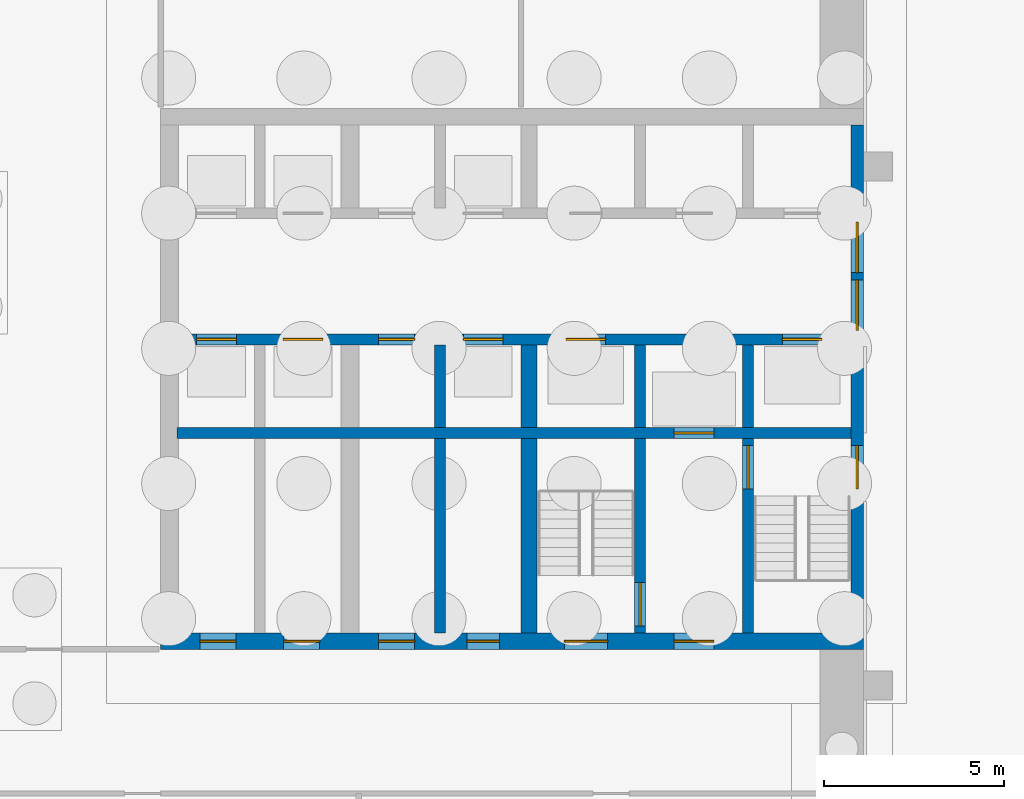
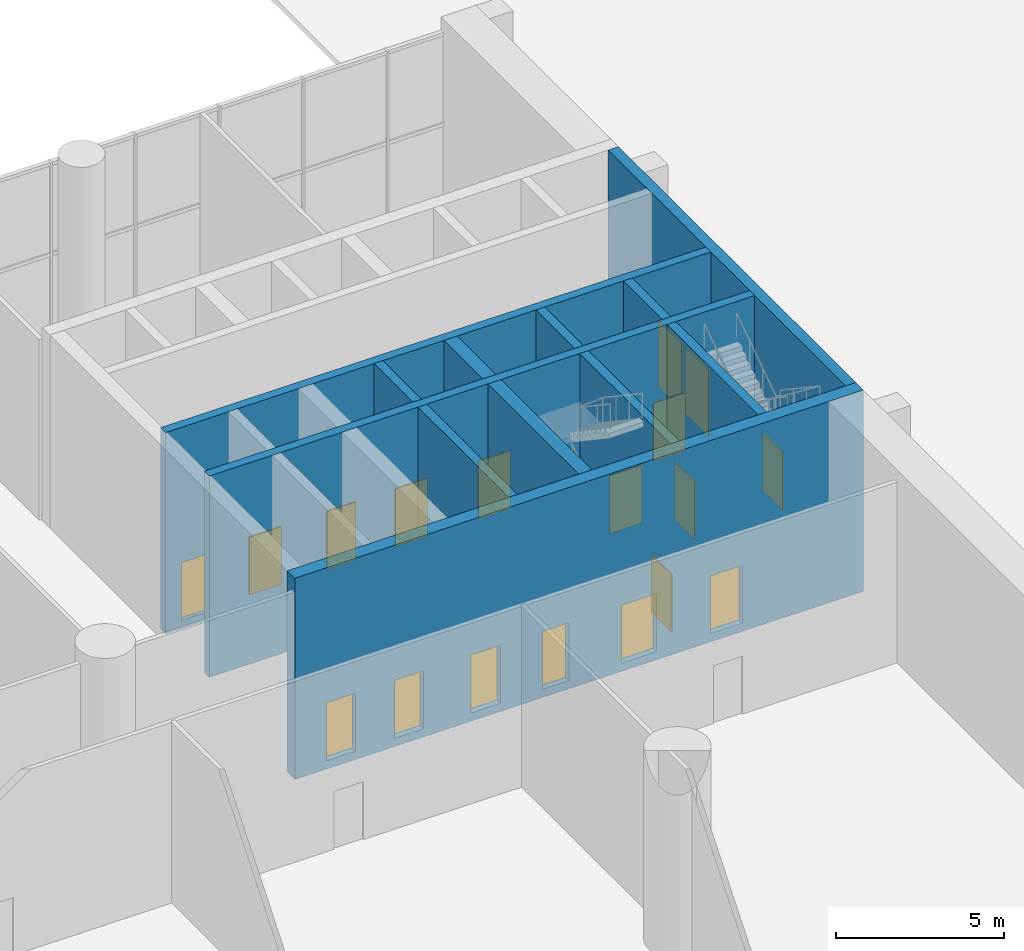
# One storey, part 18 of 26: 18 doors, 12 walls, 18 openings.
"""IFC4 building model written with IfcOpenShell, lengths in metres."""

from ifc_helpers import new_model, si_unit, direction, frame, frame_2d, origin, place, context, subcontext, project, spatial, rectangle, extrude, material, layer, layer_set, type_object, element, fill, save


model = new_model("IFC4")

# Units and contexts
model_context = context("Model", 3, precision=1e-05, world=origin(), true_north=direction((0.0, 1.0)))
body_context = subcontext(model_context, "Body", "Model", "MODEL_VIEW")
ifc_project = project(units=[si_unit("LENGTHUNIT", "METRE"), si_unit("AREAUNIT", "SQUARE_METRE"), si_unit("VOLUMEUNIT", "CUBIC_METRE"), si_unit("PLANEANGLEUNIT", "RADIAN"), si_unit("MASSUNIT", "GRAM", prefix="KILO")], contexts=[model_context])

# Site, building, storey
site_placement = place(None, origin())
site = spatial("IfcSite", under=ifc_project, at=site_placement, CompositionType="ELEMENT")
building_placement = place(site_placement, origin())
building = spatial("IfcBuilding", under=site, at=building_placement, Name="Torana Hotel and Residences", CompositionType="ELEMENT")
storey_placement = place(building_placement, origin())
storey = spatial("IfcBuildingStorey", under=building, at=storey_placement, Name="L00", CompositionType="ELEMENT", Elevation=0.0)

# Wall, openings, doors
ifc_material_1 = material(Name="Concrete C80/95", Category="concrete")
ifc_layer_1 = layer(ifc_material_1, 0.300048828125)
ifc_layer_set_1 = layer_set([ifc_layer_1], Name="CORE WALL 300 C80/95")
wall_type_1 = type_object("IfcWallType", Name="CORE WALL 300 C80/95", PredefinedType="SHEAR", material=ifc_layer_set_1)
wall_1_placement = place(storey_placement, frame((-29.050048828125, -6.39990234375, -0.300048828125), z_axis=(0.0, 0.0, 1.0), x_axis=(1.0, 0.0, 0.0)))
wall_1 = element("IfcWall", 1, at=wall_1_placement, inside=storey, type_object=wall_type_1, Name="Core wall W row-S", PredefinedType="SHEAR", context=body_context, shape_type="SweptSolid", body=[
    extrude(rectangle(XDim=18.699951171875, YDim=0.300048828125, at=frame_2d((9.35009765625, 0.0))), origin(), (0.0, 0.0, 1.0), 7.300048828125),
])
opening_1_placement = place(wall_1_placement, frame((2.949951171875, 0.0, 0.300048828125)))
opening_1 = element("IfcOpeningElement", 2, at=opening_1_placement, cuts=wall_1, Name="Opening LD", PredefinedType="OPENING", context=body_context, shape_type="SweptSolid", body=[
    extrude(rectangle(XDim=1.10009765625, YDim=2.10009765625, at=frame_2d((0.550048828125, 1.050048828125))), frame((0.0, 0.159912109375, 0.0), z_axis=(0.0, -1.0, 0.0), x_axis=(1.0, 0.0, 0.0)), (0.0, 0.0, 1.0), 0.320068359375),
])
opening_2_placement = place(wall_1_placement, frame((0.550048828125, 0.0, 0.300048828125)))
opening_2 = element("IfcOpeningElement", 3, at=opening_2_placement, cuts=wall_1, Name="Opening LD", PredefinedType="OPENING", context=body_context, shape_type="SweptSolid", body=[
    extrude(rectangle(XDim=1.10009765625, YDim=2.10009765625, at=frame_2d((0.550048828125, 1.050048828125))), frame((0.0, 0.159912109375, 0.0), z_axis=(0.0, -1.0, 0.0), x_axis=(1.0, 0.0, 0.0)), (0.0, 0.0, 1.0), 0.320068359375),
])
opening_3_placement = place(wall_1_placement, frame((7.949951171875, 0.0, 0.300048828125)))
opening_3 = element("IfcOpeningElement", 4, at=opening_3_placement, cuts=wall_1, Name="Opening LD", PredefinedType="OPENING", context=body_context, shape_type="SweptSolid", body=[
    extrude(rectangle(XDim=1.10009765625, YDim=2.10009765625, at=frame_2d((0.550048828125, 1.050048828125))), frame((0.0, 0.159912109375, 0.0), z_axis=(0.0, -1.0, 0.0), x_axis=(1.0, 0.0, 0.0)), (0.0, 0.0, 1.0), 0.320068359375),
])
opening_4_placement = place(wall_1_placement, frame((16.800048828125, 0.0, 0.300048828125)))
opening_4 = element("IfcOpeningElement", 5, at=opening_4_placement, cuts=wall_1, Name="Opening LD", PredefinedType="OPENING", context=body_context, shape_type="SweptSolid", body=[
    extrude(rectangle(XDim=1.10009765625, YDim=2.10009765625, at=frame_2d((0.550048828125, 1.050048828125))), frame((0.0, 0.159912109375, 0.0), z_axis=(0.0, -1.0, 0.0), x_axis=(1.0, 0.0, 0.0)), (0.0, 0.0, 1.0), 0.320068359375),
])
opening_5_placement = place(wall_1_placement, frame((10.800048828125, 0.0, 0.300048828125)))
opening_5 = element("IfcOpeningElement", 6, at=opening_5_placement, cuts=wall_1, Name="Opening LD", PredefinedType="OPENING", context=body_context, shape_type="SweptSolid", body=[
    extrude(rectangle(XDim=1.10009765625, YDim=2.10009765625, at=frame_2d((0.550048828125, 1.050048828125))), frame((0.0, 0.159912109375, 0.0), z_axis=(0.0, -1.0, 0.0), x_axis=(1.0, 0.0, 0.0)), (0.0, 0.0, 1.0), 0.320068359375),
])
opening_6_placement = place(wall_1_placement, frame((5.60009765625, 0.0, 0.300048828125)))
opening_6 = element("IfcOpeningElement", 7, at=opening_6_placement, cuts=wall_1, Name="Opening L00-14", PredefinedType="OPENING", context=body_context, shape_type="SweptSolid", body=[
    extrude(rectangle(XDim=1.0, YDim=2.10009765625, at=frame_2d((0.5, 1.050048828125))), frame((0.0, 0.159912109375, 0.0), z_axis=(0.0, -1.0, 0.0), x_axis=(1.0, 0.0, 0.0)), (0.0, 0.0, 1.0), 0.320068359375),
])
ifc_material_2 = material(Name="Steel S235", Category="steel")
door_type_1 = type_object("IfcDoorType", Name="CORE ROOM FIRE DOOR D14 1000x2100", OperationType="SINGLE_SWING_LEFT", PredefinedType="DOOR", material=ifc_material_2)
door_1_placement = place(opening_6_placement, frame((0.5, 0.0, 0.0), z_axis=(0.0, 0.0, 1.0), x_axis=(-1.0, 0.0, 0.0)))
door_1 = element("IfcDoor", 8, at=door_1_placement, inside=storey, type_object=door_type_1, Name="Free-M2 door L00", OperationType="SINGLE_SWING_LEFT", OverallHeight=2.10009765625, OverallWidth=1.0, PredefinedType="DOOR", context=body_context, shape_type="SweptSolid", body=[
    extrude(rectangle(XDim=1.0, YDim=2.10009765625, at=frame_2d((0.0, 1.050048828125))), frame((0.0, -0.02490234375, 0.0), z_axis=(0.0, 1.0, 0.0), x_axis=(-1.0, 0.0, 0.0)), (0.0, 0.0, 1.0), 0.050048828125),
])
fill(opening_6, door_1)
ifc_material_3 = material(Name="Stainless steel 316", Category="steel")
door_type_2 = type_object("IfcDoorType", Name="LIFT LANDING DOOR LD 1100x2100", OperationType="DOUBLE_DOOR_SLIDING", PredefinedType="USERDEFINED", material=ifc_material_3)
door_2_placement = place(opening_1_placement, origin())
door_2 = element("IfcDoor", 9, at=door_2_placement, inside=storey, type_object=door_type_2, Name="Lift landing door L3 L00", ObjectType="LIFT LANDING DOOR", OperationType="DOUBLE_DOOR_SLIDING", OverallHeight=2.10009765625, OverallWidth=1.10009765625, PredefinedType="USERDEFINED", context=body_context, shape_type="SweptSolid", body=[
    extrude(rectangle(XDim=1.10009765625, YDim=2.10009765625, at=frame_2d((0.550048828125, 1.050048828125))), frame((0.0, 0.02490234375, 0.0), z_axis=(0.0, -1.0, 0.0), x_axis=(1.0, 0.0, 0.0)), (0.0, 0.0, 1.0), 0.050048828125),
])
fill(opening_1, door_2)
door_3_placement = place(opening_2_placement, origin())
door_3 = element("IfcDoor", 10, at=door_3_placement, inside=storey, type_object=door_type_2, Name="Lift landing door L4 L00", ObjectType="LIFT LANDING DOOR", OperationType="DOUBLE_DOOR_SLIDING", OverallHeight=2.10009765625, OverallWidth=1.10009765625, PredefinedType="USERDEFINED", context=body_context, shape_type="SweptSolid", body=[
    extrude(rectangle(XDim=1.10009765625, YDim=2.10009765625, at=frame_2d((0.550048828125, 1.050048828125))), frame((0.0, 0.02490234375, 0.0), z_axis=(0.0, -1.0, 0.0), x_axis=(1.0, 0.0, 0.0)), (0.0, 0.0, 1.0), 0.050048828125),
])
fill(opening_2, door_3)
door_4_placement = place(opening_3_placement, origin())
door_4 = element("IfcDoor", 11, at=door_4_placement, inside=storey, type_object=door_type_2, Name="Lift landing door S3 L00", ObjectType="LIFT LANDING DOOR", OperationType="DOUBLE_DOOR_SLIDING", OverallHeight=2.10009765625, OverallWidth=1.10009765625, PredefinedType="USERDEFINED", context=body_context, shape_type="SweptSolid", body=[
    extrude(rectangle(XDim=1.10009765625, YDim=2.10009765625, at=frame_2d((0.550048828125, 1.050048828125))), frame((0.0, 0.02490234375, 0.0), z_axis=(0.0, -1.0, 0.0), x_axis=(1.0, 0.0, 0.0)), (0.0, 0.0, 1.0), 0.050048828125),
])
fill(opening_3, door_4)
door_5_placement = place(opening_4_placement, origin())
door_5 = element("IfcDoor", 12, at=door_5_placement, inside=storey, type_object=door_type_2, Name="Lift landing door X1 L00", ObjectType="LIFT LANDING DOOR", OperationType="DOUBLE_DOOR_SLIDING", OverallHeight=2.10009765625, OverallWidth=1.10009765625, PredefinedType="USERDEFINED", context=body_context, shape_type="SweptSolid", body=[
    extrude(rectangle(XDim=1.10009765625, YDim=2.10009765625, at=frame_2d((0.550048828125, 1.050048828125))), frame((0.0, 0.02490234375, 0.0), z_axis=(0.0, -1.0, 0.0), x_axis=(1.0, 0.0, 0.0)), (0.0, 0.0, 1.0), 0.050048828125),
])
fill(opening_4, door_5)
door_6_placement = place(opening_5_placement, origin())
door_6 = element("IfcDoor", 13, at=door_6_placement, inside=storey, type_object=door_type_2, Name="Lift landing door SV1 L00", ObjectType="LIFT LANDING DOOR", OperationType="DOUBLE_DOOR_SLIDING", OverallHeight=2.10009765625, OverallWidth=1.10009765625, PredefinedType="USERDEFINED", context=body_context, shape_type="SweptSolid", body=[
    extrude(rectangle(XDim=1.10009765625, YDim=2.10009765625, at=frame_2d((0.550048828125, 1.050048828125))), frame((0.0, 0.02490234375, 0.0), z_axis=(0.0, -1.0, 0.0), x_axis=(1.0, 0.0, 0.0)), (0.0, 0.0, 1.0), 0.050048828125),
])
fill(opening_5, door_6)

# Wall, opening, door
wall_2_placement = place(storey_placement, frame((-29.050048828125, -9.0, -0.300048828125), z_axis=(0.0, 0.0, 1.0), x_axis=(1.0, 0.0, 0.0)))
wall_2 = element("IfcWall", 14, at=wall_2_placement, inside=storey, type_object=wall_type_1, Name="Core wall W band", PredefinedType="SHEAR", context=body_context, shape_type="SweptSolid", body=[
    extrude(rectangle(XDim=18.699951171875, YDim=0.300048828125, at=frame_2d((9.35009765625, 0.0))), origin(), (0.0, 0.0, 1.0), 7.300048828125),
])
opening_7_placement = place(wall_2_placement, frame((13.800048828125, 0.0, 0.300048828125)))
opening_7 = element("IfcOpeningElement", 15, at=opening_7_placement, cuts=wall_2, Name="Opening LD", PredefinedType="OPENING", context=body_context, shape_type="SweptSolid", body=[
    extrude(rectangle(XDim=1.10009765625, YDim=2.10009765625, at=frame_2d((0.550048828125, 1.050048828125))), frame((0.0, 0.159912109375, 0.0), z_axis=(0.0, -1.0, 0.0), x_axis=(1.0, 0.0, 0.0)), (0.0, 0.0, 1.0), 0.320068359375),
])
door_7_placement = place(opening_7_placement, origin())
door_7 = element("IfcDoor", 16, at=door_7_placement, inside=storey, type_object=door_type_2, Name="Lift landing door FF1 L00", ObjectType="LIFT LANDING DOOR", OperationType="DOUBLE_DOOR_SLIDING", OverallHeight=2.10009765625, OverallWidth=1.10009765625, PredefinedType="USERDEFINED", context=body_context, shape_type="SweptSolid", body=[
    extrude(rectangle(XDim=1.10009765625, YDim=2.10009765625, at=frame_2d((0.550048828125, 1.050048828125))), frame((0.0, 0.02490234375, 0.0), z_axis=(0.0, -1.0, 0.0), x_axis=(1.0, 0.0, 0.0)), (0.0, 0.0, 1.0), 0.050048828125),
])
fill(opening_7, door_7)

# Wall
wall_3_placement = place(storey_placement, frame((-13.199951171875, -8.85009765625, -0.300048828125), z_axis=(0.0, 0.0, 1.0), x_axis=(0.0, 1.0, 0.0)))
element("IfcWall", 17, at=wall_3_placement, inside=storey, type_object=wall_type_1, Name="Core wall W x3.05-S", PredefinedType="SHEAR", context=body_context, shape_type="SweptSolid", body=[
    extrude(rectangle(XDim=2.300048828125, YDim=0.300048828125, at=frame_2d((1.14990234375, 0.0))), origin(), (0.0, 0.0, 1.0), 7.300048828125),
])

# Wall, opening, door
wall_4_placement = place(storey_placement, frame((-13.199951171875, -14.550048828125, -0.300048828125), z_axis=(0.0, 0.0, 1.0), x_axis=(0.0, 1.0, 0.0)))
wall_4 = element("IfcWall", 18, at=wall_4_placement, inside=storey, type_object=wall_type_1, Name="Core wall W x3.05-band", PredefinedType="SHEAR", context=body_context, shape_type="SweptSolid", body=[
    extrude(rectangle(XDim=5.400146484375, YDim=0.300048828125, at=frame_2d((2.7001953125, 0.0))), origin(), (0.0, 0.0, 1.0), 7.300048828125),
])
opening_8_placement = place(wall_4_placement, frame((4.0, 0.0, 0.300048828125)))
opening_8 = element("IfcOpeningElement", 19, at=opening_8_placement, cuts=wall_4, Name="Opening L00-15", PredefinedType="OPENING", context=body_context, shape_type="SweptSolid", body=[
    extrude(rectangle(XDim=1.199951171875, YDim=2.10009765625, at=frame_2d((0.60009765625, 1.050048828125))), frame((0.0, 0.159912109375, 0.0), z_axis=(0.0, -1.0, 0.0), x_axis=(1.0, 0.0, 0.0)), (0.0, 0.0, 1.0), 0.320068359375),
])
ifc_material_4 = material(Name="Steel S235", Category="steel")
door_type_3 = type_object("IfcDoorType", Name="STAIR FIRE DOOR D3 1200x2100", OperationType="SINGLE_SWING_LEFT", PredefinedType="DOOR", material=ifc_material_4)
door_8_placement = place(opening_8_placement, frame((0.60009765625, 0.0, 0.0), z_axis=(0.0, 0.0, 1.0), x_axis=(-1.0, 0.0, 0.0)))
door_8 = element("IfcDoor", 20, at=door_8_placement, inside=storey, type_object=door_type_3, Name="Stair-A-lobby door L00", OperationType="SINGLE_SWING_RIGHT", OverallHeight=2.10009765625, OverallWidth=1.199951171875, PredefinedType="DOOR", context=body_context, shape_type="SweptSolid", body=[
    extrude(rectangle(XDim=1.199951171875, YDim=2.10009765625, at=frame_2d((0.0, 1.050048828125))), frame((0.0, -0.02490234375, 0.0), z_axis=(0.0, 1.0, 0.0), x_axis=(-1.0, 0.0, 0.0)), (0.0, 0.0, 1.0), 0.050048828125),
])
fill(opening_8, door_8)

# Wall
wall_5_placement = place(storey_placement, frame((-16.199951171875, -8.85009765625, -0.300048828125), z_axis=(0.0, 0.0, 1.0), x_axis=(0.0, 1.0, 0.0)))
element("IfcWall", 21, at=wall_5_placement, inside=storey, type_object=wall_type_1, Name="Core wall W x6.05-S", PredefinedType="SHEAR", context=body_context, shape_type="SweptSolid", body=[
    extrude(rectangle(XDim=2.300048828125, YDim=0.300048828125, at=frame_2d((1.14990234375, 0.0))), origin(), (0.0, 0.0, 1.0), 7.300048828125),
])

# Wall, opening, door
wall_6_placement = place(storey_placement, frame((-16.199951171875, -14.550048828125, -0.300048828125), z_axis=(0.0, 0.0, 1.0), x_axis=(0.0, 1.0, 0.0)))
wall_6 = element("IfcWall", 22, at=wall_6_placement, inside=storey, type_object=wall_type_1, Name="Core wall W x6.05-band", PredefinedType="SHEAR", context=body_context, shape_type="SweptSolid", body=[
    extrude(rectangle(XDim=5.400146484375, YDim=0.300048828125, at=frame_2d((2.7001953125, 0.0))), origin(), (0.0, 0.0, 1.0), 7.300048828125),
])
opening_9_placement = place(wall_6_placement, frame((0.199951171875, 0.0, 0.300048828125)))
opening_9 = element("IfcOpeningElement", 23, at=opening_9_placement, cuts=wall_6, Name="Opening L00-16", PredefinedType="OPENING", context=body_context, shape_type="SweptSolid", body=[
    extrude(rectangle(XDim=1.199951171875, YDim=2.10009765625, at=frame_2d((0.60009765625, 1.050048828125))), frame((0.0, 0.159912109375, 0.0), z_axis=(0.0, -1.0, 0.0), x_axis=(1.0, 0.0, 0.0)), (0.0, 0.0, 1.0), 0.320068359375),
])
door_9_placement = place(opening_9_placement, origin())
door_9 = element("IfcDoor", 24, at=door_9_placement, inside=storey, type_object=door_type_3, Name="Stair-B-lobby door L00", OperationType="SINGLE_SWING_RIGHT", OverallHeight=2.10009765625, OverallWidth=1.199951171875, PredefinedType="DOOR", context=body_context, shape_type="SweptSolid", body=[
    extrude(rectangle(XDim=1.199951171875, YDim=2.10009765625, at=frame_2d((0.60009765625, 1.050048828125))), frame((0.0, 0.02490234375, 0.0), z_axis=(0.0, -1.0, 0.0), x_axis=(1.0, 0.0, 0.0)), (0.0, 0.0, 1.0), 0.050048828125),
])
fill(opening_9, door_9)

# Walls
wall_7_placement = place(storey_placement, frame((-21.75, -8.85009765625, -0.300048828125), z_axis=(0.0, 0.0, 1.0), x_axis=(0.0, 1.0, 0.0)))
element("IfcWall", 25, at=wall_7_placement, inside=storey, type_object=wall_type_1, Name="Core wall W mm-S", PredefinedType="SHEAR", context=body_context, shape_type="SweptSolid", body=[
    extrude(rectangle(XDim=2.300048828125, YDim=0.300048828125, at=frame_2d((1.14990234375, 0.0))), origin(), (0.0, 0.0, 1.0), 7.300048828125),
])
wall_8_placement = place(storey_placement, frame((-21.75, -14.550048828125, -0.300048828125), z_axis=(0.0, 0.0, 1.0), x_axis=(0.0, 1.0, 0.0)))
element("IfcWall", 26, at=wall_8_placement, inside=storey, type_object=wall_type_1, Name="Core wall W mm-band", PredefinedType="SHEAR", context=body_context, shape_type="SweptSolid", body=[
    extrude(rectangle(XDim=5.400146484375, YDim=0.300048828125, at=frame_2d((2.7001953125, 0.0))), origin(), (0.0, 0.0, 1.0), 7.300048828125),
])

# Wall, openings, doors
ifc_material_5 = material(Name="Concrete C80/95", Category="concrete")
ifc_layer_2 = layer(ifc_material_5, 0.35009765625)
ifc_layer_set_2 = layer_set([ifc_layer_2], Name="CORE WALL 350 C80/95")
wall_type_2 = type_object("IfcWallType", Name="CORE WALL 350 C80/95", PredefinedType="SHEAR", material=ifc_layer_set_2)
wall_9_placement = place(storey_placement, frame((-10.175048828125, -14.550048828125, -0.300048828125), z_axis=(0.0, 0.0, 1.0), x_axis=(0.0, 1.0, 0.0)))
wall_9 = element("IfcWall", 27, at=wall_9_placement, inside=storey, type_object=wall_type_2, Name="Core wall W arch", PredefinedType="SHEAR", context=body_context, shape_type="SweptSolid", body=[
    extrude(rectangle(XDim=14.10009765625, YDim=0.35009765625, at=frame_2d((7.050048828125, 0.0))), origin(), (0.0, 0.0, 1.0), 7.300048828125),
])
opening_10_placement = place(wall_9_placement, frame((8.39990234375, 0.0, 0.300048828125)))
opening_10 = element("IfcOpeningElement", 28, at=opening_10_placement, cuts=wall_9, Name="Opening L00-01", PredefinedType="OPENING", context=body_context, shape_type="SweptSolid", body=[
    extrude(rectangle(XDim=1.39990234375, YDim=2.39990234375, at=frame_2d((0.699951171875, 1.199951171875))), frame((0.0, 0.18505859375, 0.0), z_axis=(0.0, -1.0, 0.0), x_axis=(1.0, 0.0, 0.0)), (0.0, 0.0, 1.0), 0.3701171875),
])
opening_11_placement = place(wall_9_placement, frame((10.0, 0.0, 0.300048828125)))
opening_11 = element("IfcOpeningElement", 29, at=opening_11_placement, cuts=wall_9, Name="Opening L00-02", PredefinedType="OPENING", context=body_context, shape_type="SweptSolid", body=[
    extrude(rectangle(XDim=1.39990234375, YDim=2.39990234375, at=frame_2d((0.699951171875, 1.199951171875))), frame((0.0, 0.18505859375, 0.0), z_axis=(0.0, -1.0, 0.0), x_axis=(1.0, 0.0, 0.0)), (0.0, 0.0, 1.0), 0.3701171875),
])
opening_12_placement = place(wall_9_placement, frame((4.0, 0.0, 0.300048828125)))
opening_12 = element("IfcOpeningElement", 30, at=opening_12_placement, cuts=wall_9, Name="Opening L00-03", PredefinedType="OPENING", context=body_context, shape_type="SweptSolid", body=[
    extrude(rectangle(XDim=1.199951171875, YDim=2.10009765625, at=frame_2d((0.60009765625, 1.050048828125))), frame((0.0, 0.18505859375, 0.0), z_axis=(0.0, -1.0, 0.0), x_axis=(1.0, 0.0, 0.0)), (0.0, 0.0, 1.0), 0.3701171875),
])
ifc_material_6 = material(Name="Steel S235", Category="steel")
door_type_4 = type_object("IfcDoorType", Name="LOBBY FIRE DOOR D4 1400x2400", OperationType="DOUBLE_DOOR_SINGLE_SWING", PredefinedType="DOOR", material=ifc_material_6)
door_10_placement = place(opening_10_placement, frame((0.699951171875, 0.0, 0.0), z_axis=(0.0, 0.0, 1.0), x_axis=(-1.0, 0.0, 0.0)))
door_10 = element("IfcDoor", 31, at=door_10_placement, inside=storey, type_object=door_type_4, Name="Lobby-1 door L00", OperationType="DOUBLE_DOOR_SINGLE_SWING", OverallHeight=2.39990234375, OverallWidth=1.39990234375, PredefinedType="DOOR", context=body_context, shape_type="SweptSolid", body=[
    extrude(rectangle(XDim=1.39990234375, YDim=2.39990234375, at=frame_2d((0.0, 1.199951171875))), frame((0.0, -0.02490234375, 0.0), z_axis=(0.0, 1.0, 0.0), x_axis=(-1.0, 0.0, 0.0)), (0.0, 0.0, 1.0), 0.050048828125),
])
fill(opening_10, door_10)
door_11_placement = place(opening_11_placement, frame((0.699951171875, 0.0, 0.0), z_axis=(0.0, 0.0, 1.0), x_axis=(-1.0, 0.0, 0.0)))
door_11 = element("IfcDoor", 32, at=door_11_placement, inside=storey, type_object=door_type_4, Name="Lobby-2 door L00", OperationType="DOUBLE_DOOR_SINGLE_SWING", OverallHeight=2.39990234375, OverallWidth=1.39990234375, PredefinedType="DOOR", context=body_context, shape_type="SweptSolid", body=[
    extrude(rectangle(XDim=1.39990234375, YDim=2.39990234375, at=frame_2d((0.0, 1.199951171875))), frame((0.0, -0.02490234375, 0.0), z_axis=(0.0, 1.0, 0.0), x_axis=(-1.0, 0.0, 0.0)), (0.0, 0.0, 1.0), 0.050048828125),
])
fill(opening_11, door_11)
door_12_placement = place(opening_12_placement, frame((0.60009765625, 0.0, 0.0), z_axis=(0.0, 0.0, 1.0), x_axis=(-1.0, 0.0, 0.0)))
door_12 = element("IfcDoor", 33, at=door_12_placement, inside=storey, type_object=door_type_3, Name="Stair-A door L00", OperationType="SINGLE_SWING_LEFT", OverallHeight=2.10009765625, OverallWidth=1.199951171875, PredefinedType="DOOR", context=body_context, shape_type="SweptSolid", body=[
    extrude(rectangle(XDim=1.199951171875, YDim=2.10009765625, at=frame_2d((0.0, 1.050048828125))), frame((0.0, -0.02490234375, 0.0), z_axis=(0.0, 1.0, 0.0), x_axis=(-1.0, 0.0, 0.0)), (0.0, 0.0, 1.0), 0.050048828125),
])
fill(opening_12, door_12)

ifc_material_7 = material(Name="Concrete C80/95", Category="concrete")
ifc_layer_3 = layer(ifc_material_7, 0.449951171875)
ifc_layer_set_3 = layer_set([ifc_layer_3], Name="CORE WALL 450 C80/95")
wall_type_3 = type_object("IfcWallType", Name="CORE WALL 450 C80/95", PredefinedType="SHEAR", material=ifc_layer_set_3)
wall_10_placement = place(storey_placement, frame((-29.5, -14.77490234375, -0.300048828125), z_axis=(0.0, 0.0, 1.0), x_axis=(1.0, 0.0, 0.0)))
wall_10 = element("IfcWall", 34, at=wall_10_placement, inside=storey, type_object=wall_type_3, Name="Core wall W front", PredefinedType="SHEAR", context=body_context, shape_type="SweptSolid", body=[
    extrude(rectangle(XDim=19.5, YDim=0.449951171875, at=frame_2d((9.75, 0.0))), origin(), (0.0, 0.0, 1.0), 7.300048828125),
])
opening_13_placement = place(wall_10_placement, frame((11.199951171875, 0.0, 0.300048828125)))
opening_13 = element("IfcOpeningElement", 35, at=opening_13_placement, cuts=wall_10, Name="Opening L00-04", PredefinedType="OPENING", context=body_context, shape_type="SweptSolid", body=[
    extrude(rectangle(XDim=1.199951171875, YDim=2.10009765625, at=frame_2d((0.60009765625, 1.050048828125))), frame((0.0, 0.23486328125, 0.0), z_axis=(0.0, -1.0, 0.0), x_axis=(1.0, 0.0, 0.0)), (0.0, 0.0, 1.0), 0.469970703125),
])
opening_14_placement = place(wall_10_placement, frame((14.25, 0.0, 0.300048828125)))
opening_14 = element("IfcOpeningElement", 36, at=opening_14_placement, cuts=wall_10, Name="Opening L00-05", PredefinedType="OPENING", context=body_context, shape_type="SweptSolid", body=[
    extrude(rectangle(XDim=1.10009765625, YDim=2.10009765625, at=frame_2d((0.550048828125, 1.050048828125))), frame((0.0, 0.23486328125, 0.0), z_axis=(0.0, -1.0, 0.0), x_axis=(1.0, 0.0, 0.0)), (0.0, 0.0, 1.0), 0.469970703125),
])
opening_15_placement = place(wall_10_placement, frame((8.5, 0.0, 0.300048828125)))
opening_15 = element("IfcOpeningElement", 37, at=opening_15_placement, cuts=wall_10, Name="Opening L00-06", PredefinedType="OPENING", context=body_context, shape_type="SweptSolid", body=[
    extrude(rectangle(XDim=0.89990234375, YDim=2.10009765625, at=frame_2d((0.449951171875, 1.050048828125))), frame((0.0, 0.23486328125, 0.0), z_axis=(0.0, -1.0, 0.0), x_axis=(1.0, 0.0, 0.0)), (0.0, 0.0, 1.0), 0.469970703125),
])
opening_16_placement = place(wall_10_placement, frame((6.050048828125, 0.0, 0.300048828125)))
opening_16 = element("IfcOpeningElement", 38, at=opening_16_placement, cuts=wall_10, Name="Opening L00-07", PredefinedType="OPENING", context=body_context, shape_type="SweptSolid", body=[
    extrude(rectangle(XDim=1.0, YDim=2.10009765625, at=frame_2d((0.5, 1.050048828125))), frame((0.0, 0.23486328125, 0.0), z_axis=(0.0, -1.0, 0.0), x_axis=(1.0, 0.0, 0.0)), (0.0, 0.0, 1.0), 0.469970703125),
])
opening_17_placement = place(wall_10_placement, frame((3.41259765625, 0.0, 0.300048828125)))
opening_17 = element("IfcOpeningElement", 39, at=opening_17_placement, cuts=wall_10, Name="Opening L00-08", PredefinedType="OPENING", context=body_context, shape_type="SweptSolid", body=[
    extrude(rectangle(XDim=1.0, YDim=2.10009765625, at=frame_2d((0.5, 1.050048828125))), frame((0.0, 0.23486328125, 0.0), z_axis=(0.0, -1.0, 0.0), x_axis=(1.0, 0.0, 0.0)), (0.0, 0.0, 1.0), 0.469970703125),
])
opening_18_placement = place(wall_10_placement, frame((1.08740234375, 0.0, 0.300048828125)))
opening_18 = element("IfcOpeningElement", 40, at=opening_18_placement, cuts=wall_10, Name="Opening L00-09", PredefinedType="OPENING", context=body_context, shape_type="SweptSolid", body=[
    extrude(rectangle(XDim=1.0, YDim=2.10009765625, at=frame_2d((0.5, 1.050048828125))), frame((0.0, 0.23486328125, 0.0), z_axis=(0.0, -1.0, 0.0), x_axis=(1.0, 0.0, 0.0)), (0.0, 0.0, 1.0), 0.469970703125),
])
door_13_placement = place(opening_16_placement, origin())
door_13 = element("IfcDoor", 41, at=door_13_placement, inside=storey, type_object=door_type_1, Name="M-Room door L00", OperationType="SINGLE_SWING_RIGHT", OverallHeight=2.10009765625, OverallWidth=1.0, PredefinedType="DOOR", context=body_context, shape_type="SweptSolid", body=[
    extrude(rectangle(XDim=1.0, YDim=2.10009765625, at=frame_2d((0.5, 1.050048828125))), frame((0.0, 0.02490234375, 0.0), z_axis=(0.0, -1.0, 0.0), x_axis=(1.0, 0.0, 0.0)), (0.0, 0.0, 1.0), 0.050048828125),
])
fill(opening_16, door_13)
door_14_placement = place(opening_17_placement, origin())
door_14 = element("IfcDoor", 42, at=door_14_placement, inside=storey, type_object=door_type_1, Name="L-A door L00", OperationType="SINGLE_SWING_RIGHT", OverallHeight=2.10009765625, OverallWidth=1.0, PredefinedType="DOOR", context=body_context, shape_type="SweptSolid", body=[
    extrude(rectangle(XDim=1.0, YDim=2.10009765625, at=frame_2d((0.5, 1.050048828125))), frame((0.0, 0.02490234375, 0.0), z_axis=(0.0, -1.0, 0.0), x_axis=(1.0, 0.0, 0.0)), (0.0, 0.0, 1.0), 0.050048828125),
])
fill(opening_17, door_14)
door_15_placement = place(opening_18_placement, origin())
door_15 = element("IfcDoor", 43, at=door_15_placement, inside=storey, type_object=door_type_1, Name="L-B door L00", OperationType="SINGLE_SWING_RIGHT", OverallHeight=2.10009765625, OverallWidth=1.0, PredefinedType="DOOR", context=body_context, shape_type="SweptSolid", body=[
    extrude(rectangle(XDim=1.0, YDim=2.10009765625, at=frame_2d((0.5, 1.050048828125))), frame((0.0, 0.02490234375, 0.0), z_axis=(0.0, -1.0, 0.0), x_axis=(1.0, 0.0, 0.0)), (0.0, 0.0, 1.0), 0.050048828125),
])
fill(opening_18, door_15)
ifc_material_8 = material(Name="Steel S235", Category="steel")
door_type_5 = type_object("IfcDoorType", Name="FIRE-FIGHTING LOBBY DOOR D8 1100x2100", OperationType="SINGLE_SWING_LEFT", PredefinedType="DOOR", material=ifc_material_8)
door_16_placement = place(opening_14_placement, origin())
door_16 = element("IfcDoor", 44, at=door_16_placement, inside=storey, type_object=door_type_5, Name="FF-lobby door L00", OperationType="SINGLE_SWING_RIGHT", OverallHeight=2.10009765625, OverallWidth=1.10009765625, PredefinedType="DOOR", context=body_context, shape_type="SweptSolid", body=[
    extrude(rectangle(XDim=1.10009765625, YDim=2.10009765625, at=frame_2d((0.550048828125, 1.050048828125))), frame((0.0, 0.02490234375, 0.0), z_axis=(0.0, -1.0, 0.0), x_axis=(1.0, 0.0, 0.0)), (0.0, 0.0, 1.0), 0.050048828125),
])
fill(opening_14, door_16)
ifc_material_9 = material(Name="Steel S235", Category="steel")
door_type_6 = type_object("IfcDoorType", Name="RISER ACCESS DOOR D5 900x2100", OperationType="SINGLE_SWING_LEFT", PredefinedType="DOOR", material=ifc_material_9)
door_17_placement = place(opening_15_placement, origin())
door_17 = element("IfcDoor", 45, at=door_17_placement, inside=storey, type_object=door_type_6, Name="M-Riser door L00", OperationType="SINGLE_SWING_RIGHT", OverallHeight=2.10009765625, OverallWidth=0.89990234375, PredefinedType="DOOR", context=body_context, shape_type="SweptSolid", body=[
    extrude(rectangle(XDim=0.89990234375, YDim=2.10009765625, at=frame_2d((0.449951171875, 1.050048828125))), frame((0.0, 0.02490234375, 0.0), z_axis=(0.0, -1.0, 0.0), x_axis=(1.0, 0.0, 0.0)), (0.0, 0.0, 1.0), 0.050048828125),
])
fill(opening_15, door_17)
door_18_placement = place(opening_13_placement, origin())
door_18 = element("IfcDoor", 46, at=door_18_placement, inside=storey, type_object=door_type_3, Name="Stair-B door L00", OperationType="SINGLE_SWING_RIGHT", OverallHeight=2.10009765625, OverallWidth=1.199951171875, PredefinedType="DOOR", context=body_context, shape_type="SweptSolid", body=[
    extrude(rectangle(XDim=1.199951171875, YDim=2.10009765625, at=frame_2d((0.60009765625, 1.050048828125))), frame((0.0, 0.02490234375, 0.0), z_axis=(0.0, -1.0, 0.0), x_axis=(1.0, 0.0, 0.0)), (0.0, 0.0, 1.0), 0.050048828125),
])
fill(opening_13, door_18)

# Walls
wall_11_placement = place(storey_placement, frame((-19.27490234375, -8.85009765625, -0.300048828125), z_axis=(0.0, 0.0, 1.0), x_axis=(0.0, 1.0, 0.0)))
element("IfcWall", 47, at=wall_11_placement, inside=storey, type_object=wall_type_3, Name="Core wall W hm-S", PredefinedType="SHEAR", context=body_context, shape_type="SweptSolid", body=[
    extrude(rectangle(XDim=2.300048828125, YDim=0.449951171875, at=frame_2d((1.14990234375, 0.0))), origin(), (0.0, 0.0, 1.0), 7.300048828125),
])
wall_12_placement = place(storey_placement, frame((-19.27490234375, -14.550048828125, -0.300048828125), z_axis=(0.0, 0.0, 1.0), x_axis=(0.0, 1.0, 0.0)))
element("IfcWall", 48, at=wall_12_placement, inside=storey, type_object=wall_type_3, Name="Core wall W hm-band", PredefinedType="SHEAR", context=body_context, shape_type="SweptSolid", body=[
    extrude(rectangle(XDim=5.400146484375, YDim=0.449951171875, at=frame_2d((2.7001953125, 0.0))), origin(), (0.0, 0.0, 1.0), 7.300048828125),
])

save(model, "model.ifc")
